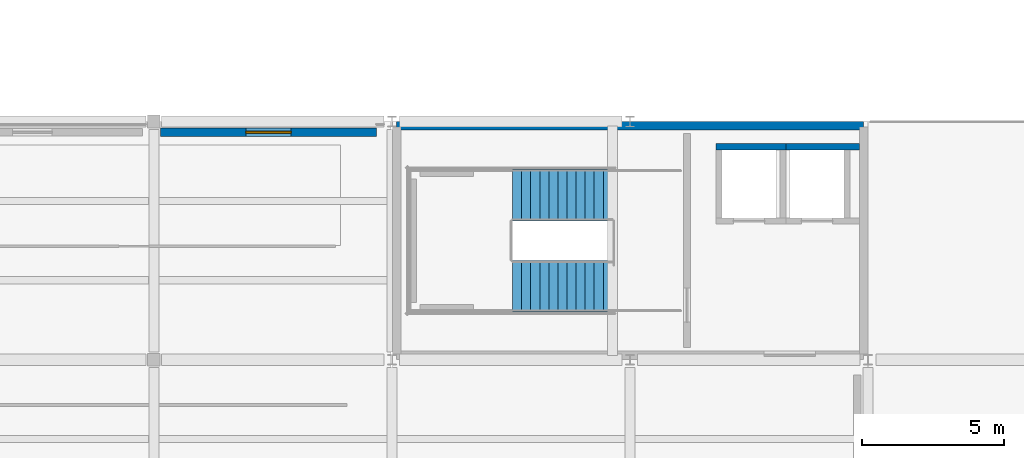
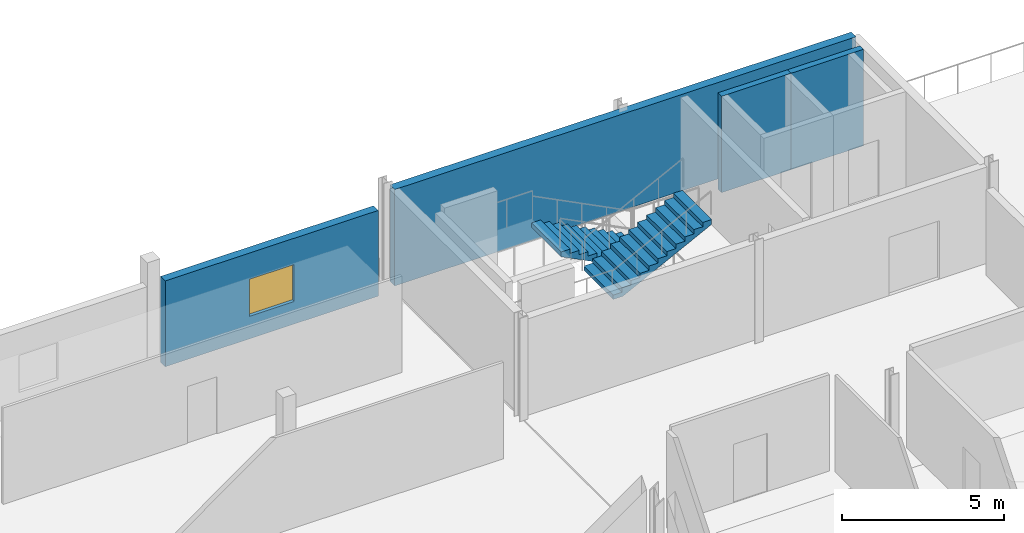
# One storey, part 11 of 16: 4 walls, 2 stair flights, 1 window, 1 opening, 1 element without a shape of its own.
"""IFC4 building model written with IfcOpenShell, lengths in metres."""

from ifc_helpers import new_model, si_unit, derived_unit, direction, frame, frame_2d, origin, place, context, subcontext, project, spatial, polyline, rectangle, outline, extrude, material, layer, layer_set, type_object, element, fill, aggregate, save


model = new_model("IFC4")

# Units and contexts
model_context = context("Model", 3, precision=1e-05, world=origin(), true_north=direction((0.0, 1.0)))
body_context = subcontext(model_context, "Body", "Model", "MODEL_VIEW")
ifc_project = project(units=[si_unit("LENGTHUNIT", "METRE"), si_unit("AREAUNIT", "SQUARE_METRE"), si_unit("VOLUMEUNIT", "CUBIC_METRE"), si_unit("PLANEANGLEUNIT", "RADIAN"), si_unit("MASSUNIT", "GRAM", prefix="KILO"), derived_unit("THERMALTRANSMITTANCEUNIT", [(si_unit("POWERUNIT", "WATT"), 1), (si_unit("LENGTHUNIT", "METRE"), -2), (si_unit("THERMODYNAMICTEMPERATUREUNIT", "KELVIN"), -1)])], contexts=[model_context])

# Site, building, storey
site_placement = place(None, origin())
site = spatial("IfcSite", under=ifc_project, at=site_placement, CompositionType="ELEMENT")
building_placement = place(site_placement, origin())
building = spatial("IfcBuilding", under=site, at=building_placement, Name="Elbkamm Science Centre", CompositionType="ELEMENT")
storey_placement = place(building_placement, frame((0.0, 0.0, 21.60009765625)))
storey = spatial("IfcBuildingStorey", under=building, at=storey_placement, Name="L05", CompositionType="ELEMENT", Elevation=21.60009765625)

# Wall
ifc_material_1 = material(Name="Reinforced concrete C40/50", Category="concrete")
ifc_layer_1 = layer(ifc_material_1, 0.300048828125)
ifc_layer_set_1 = layer_set([ifc_layer_1], Name="Reinforced concrete C40/50")
wall_type_1 = type_object("IfcWallType", Name="WL-CORE-300", PredefinedType="SHEAR", material=ifc_layer_set_1)
wall_1_placement = place(storey_placement, frame((126.1650390625, 58.64990234375, 0.0), z_axis=(0.0, 0.0, 1.0), x_axis=(1.0, 0.0, 0.0)))
element("IfcWall", 1, at=wall_1_placement, inside=storey, type_object=wall_type_1, Name="L05 Core C3 Northeast Laboratories and Observatory Core Shear Wall N", PredefinedType="SHEAR", context=body_context, shape_type="SweptSolid", body=[
    extrude(rectangle(XDim=16.474853515625, YDim=0.300048828125, at=frame_2d((8.2373046875, 0.0))), origin(), (0.0, 0.0, 1.0), 3.639892578125),
])

# Wall, opening, window
ifc_material_2 = material(Name="White precast concrete C40/50", Category="concrete")
ifc_layer_2 = layer(ifc_material_2, 0.2900390625)
ifc_layer_set_2 = layer_set([ifc_layer_2], Name="White precast concrete C40/50")
wall_type_2 = type_object("IfcWallType", Name="WL-EXT-290", PredefinedType="SOLIDWALL", material=ifc_layer_set_2)
wall_2_placement = place(storey_placement, frame((117.839111328125, 58.419921875, 0.0), z_axis=(0.0, 0.0, 1.0), x_axis=(1.0, 0.0, 0.0)))
wall_2 = element("IfcWall", 2, at=wall_2_placement, inside=storey, type_object=wall_type_2, Name="L05 Exterior Wall 0338", PredefinedType="SOLIDWALL", context=body_context, shape_type="SweptSolid", body=[
    extrude(rectangle(XDim=7.61083984375, YDim=0.2900390625, at=frame_2d((3.805419921875, 0.0))), origin(), (0.0, 0.0, 1.0), 3.239990234375),
])
opening_placement = place(wall_2_placement, frame((3.005615234375, 0.0, 0.85009765625)))
opening = element("IfcOpeningElement", 3, at=opening_placement, cuts=wall_2, Name="Opening W-03", PredefinedType="OPENING", context=body_context, shape_type="SweptSolid", body=[
    extrude(rectangle(XDim=1.60009765625, YDim=1.39990234375, at=frame_2d((0.800048828125, 0.699951171875))), frame((0.0, 0.156982421875, 0.0), z_axis=(0.0, -1.0, 0.0), x_axis=(1.0, 0.0, 0.0)), (0.0, 0.0, 1.0), 0.31396484375),
])
ifc_material_3 = material(Name="Thermally broken aluminium and triple solar glass", Category="aluminium")
ifc_layer_3 = layer(ifc_material_3, 0.06005859375)
ifc_layer_set_3 = layer_set([ifc_layer_3], Name="Thermally broken aluminium and triple solar glass")
window_type = type_object("IfcWindowType", Name="WIN-1600x1400", PartitioningType="SINGLE_PANEL", PredefinedType="WINDOW", material=ifc_layer_set_3)
window_placement = place(opening_placement, origin())
window = element("IfcWindow", 4, at=window_placement, inside=storey, type_object=window_type, Name="L05 Facade Window 0102", OverallHeight=1.39990234375, OverallWidth=1.60009765625, PartitioningType="SINGLE_PANEL", PredefinedType="WINDOW", context=body_context, shape_type="SweptSolid", body=[
    extrude(rectangle(XDim=1.60009765625, YDim=1.39990234375, at=frame_2d((0.800048828125, 0.699951171875))), frame((0.0, 0.030029296875, 0.0), z_axis=(0.0, -1.0, 0.0), x_axis=(1.0, 0.0, 0.0)), (0.0, 0.0, 1.0), 0.06005859375),
])
fill(opening, window)

# Walls
ifc_layer_4 = layer(ifc_material_1, 0.219970703125)
ifc_layer_set_4 = layer_set([ifc_layer_4], Name="Reinforced concrete C40/50")
wall_type_3 = type_object("IfcWallType", Name="WL-SHAFT-220", PredefinedType="SOLIDWALL", material=ifc_layer_set_4)
wall_3_placement = place(storey_placement, frame((137.429931640625, 57.909912109375, 0.0), z_axis=(0.0, 0.0, 1.0), x_axis=(1.0, 0.0, 0.0)))
element("IfcWall", 5, at=wall_3_placement, inside=storey, type_object=wall_type_3, Name="L05 Lift LP1 Shaft Back Wall", PredefinedType="SOLIDWALL", context=body_context, shape_type="SweptSolid", body=[
    extrude(rectangle(XDim=2.47998046875, YDim=0.219970703125, at=frame_2d((1.239990234375, 0.0))), origin(), (0.0, 0.0, 1.0), 3.639892578125),
])
wall_4_placement = place(storey_placement, frame((139.68994140625, 57.909912109375, 0.0), z_axis=(0.0, 0.0, 1.0), x_axis=(1.0, 0.0, 0.0)))
element("IfcWall", 6, at=wall_4_placement, inside=storey, type_object=wall_type_3, Name="L05 Lift LP2 Shaft Back Wall", PredefinedType="SOLIDWALL", context=body_context, shape_type="SweptSolid", body=[
    extrude(rectangle(XDim=2.81005859375, YDim=0.219970703125, at=frame_2d((1.405029296875, 0.0))), origin(), (0.0, 0.0, 1.0), 3.639892578125),
])

# Stair, stair flights
stair_type = type_object("IfcStairType", Name="ST-TWO-24R-182", PredefinedType="USERDEFINED", material=ifc_material_1)
stair_placement = place(storey_placement, origin())
stair = element("IfcStair", 7, at=stair_placement, inside=storey, type_object=stair_type, Name="L05 Core C3 Northeast Laboratories and Observatory Core Escape Stair", ObjectType="TWO_RETURN_STAIR", PredefinedType="USERDEFINED")
stair_flight_type = type_object("IfcStairFlightType", Name="FLT-12R-162MM-182", PredefinedType="STRAIGHT", material=ifc_material_1)
stair_flight_1_placement = place(storey_placement, frame((133.780029296875, 56.2099609375, 0.0), z_axis=(0.0, 0.0, 1.0), x_axis=(-1.0, 0.0, 0.0)))
stair_flight_1 = element("IfcStairFlight", 8, at=stair_flight_1_placement, type_object=stair_flight_type, Name="ST-C3 flight 1", NumberOfRisers=12, NumberOfTreads=11, PredefinedType="STRAIGHT", RiserHeight=0.1625, TreadLength=0.32, context=body_context, shape_type="SweptSolid", body=[
    extrude(outline(polyline([(0.0, 0.0), (0.0, 0.16259765625), (0.320068359375, 0.16259765625), (0.320068359375, 0.324951171875), (0.639892578125, 0.324951171875), (0.639892578125, 0.487548828125), (0.9599609375, 0.487548828125), (0.9599609375, 0.64990234375), (1.280029296875, 0.64990234375), (1.280029296875, 0.8125), (1.60009765625, 0.8125), (1.60009765625, 0.97509765625), (1.919921875, 0.97509765625), (1.919921875, 1.137451171875), (2.239990234375, 1.137451171875), (2.239990234375, 1.300048828125), (2.56005859375, 1.300048828125), (2.56005859375, 1.46240234375), (2.8798828125, 1.46240234375), (2.8798828125, 1.625), (3.199951171875, 1.625), (3.199951171875, 1.78759765625), (3.52001953125, 1.78759765625), (3.52001953125, 1.949951171875), (3.52001953125, 1.608154296875), (0.353271484375, 0.0), (0.0, 0.0)])), frame((0.0, 0.91015625, 0.0), z_axis=(0.0, -1.0, 0.0), x_axis=(1.0, 0.0, 0.0)), (0.0, 0.0, 1.0), 1.820068359375),
])
stair_flight_2_placement = place(storey_placement, frame((130.260009765625, 52.989990234375, 1.949951171875), z_axis=(0.0, 0.0, 1.0), x_axis=(1.0, 0.0, 0.0)))
stair_flight_2 = element("IfcStairFlight", 9, at=stair_flight_2_placement, type_object=stair_flight_type, Name="ST-C3 flight 2", NumberOfRisers=12, NumberOfTreads=11, PredefinedType="STRAIGHT", RiserHeight=0.1625, TreadLength=0.32, context=body_context, shape_type="SweptSolid", body=[
    extrude(outline(polyline([(0.0, 0.0), (0.0, 0.16259765625), (0.320068359375, 0.16259765625), (0.320068359375, 0.324951171875), (0.639892578125, 0.324951171875), (0.639892578125, 0.487548828125), (0.9599609375, 0.487548828125), (0.9599609375, 0.64990234375), (1.280029296875, 0.64990234375), (1.280029296875, 0.8125), (1.60009765625, 0.8125), (1.60009765625, 0.97509765625), (1.919921875, 0.97509765625), (1.919921875, 1.137451171875), (2.239990234375, 1.137451171875), (2.239990234375, 1.300048828125), (2.56005859375, 1.300048828125), (2.56005859375, 1.46240234375), (2.8798828125, 1.46240234375), (2.8798828125, 1.625), (3.199951171875, 1.625), (3.199951171875, 1.78759765625), (3.52001953125, 1.78759765625), (3.52001953125, 1.949951171875), (3.52001953125, 1.608154296875), (0.353271484375, 0.0), (0.0, 0.0)])), frame((0.0, 0.91015625, 0.0), z_axis=(0.0, -1.0, 0.0), x_axis=(1.0, 0.0, 0.0)), (0.0, 0.0, 1.0), 1.820068359375),
])
aggregate(stair, [stair_flight_1, stair_flight_2])

save(model, "model.ifc")
